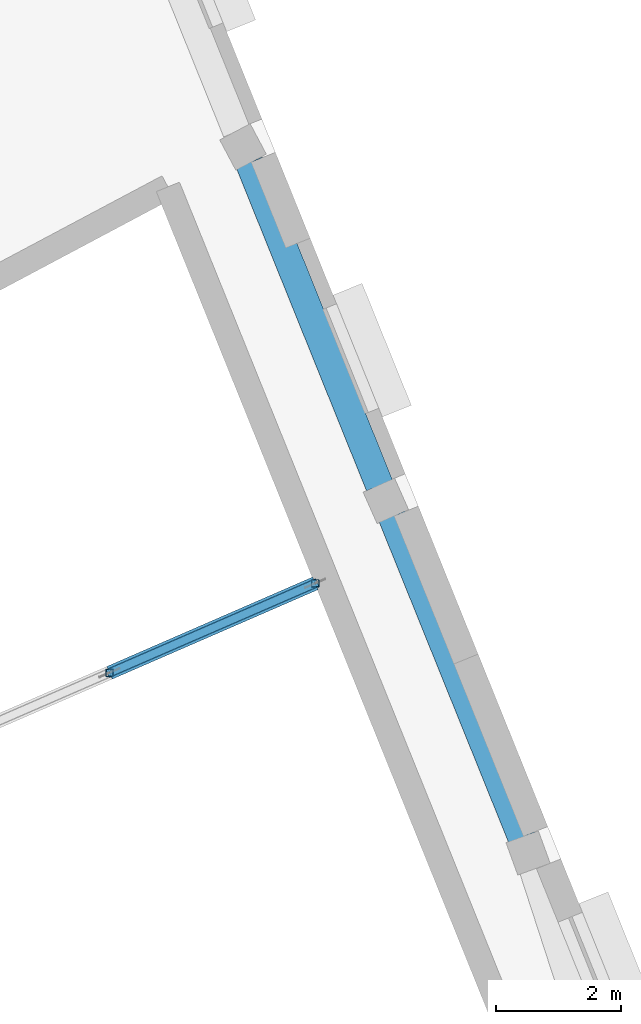
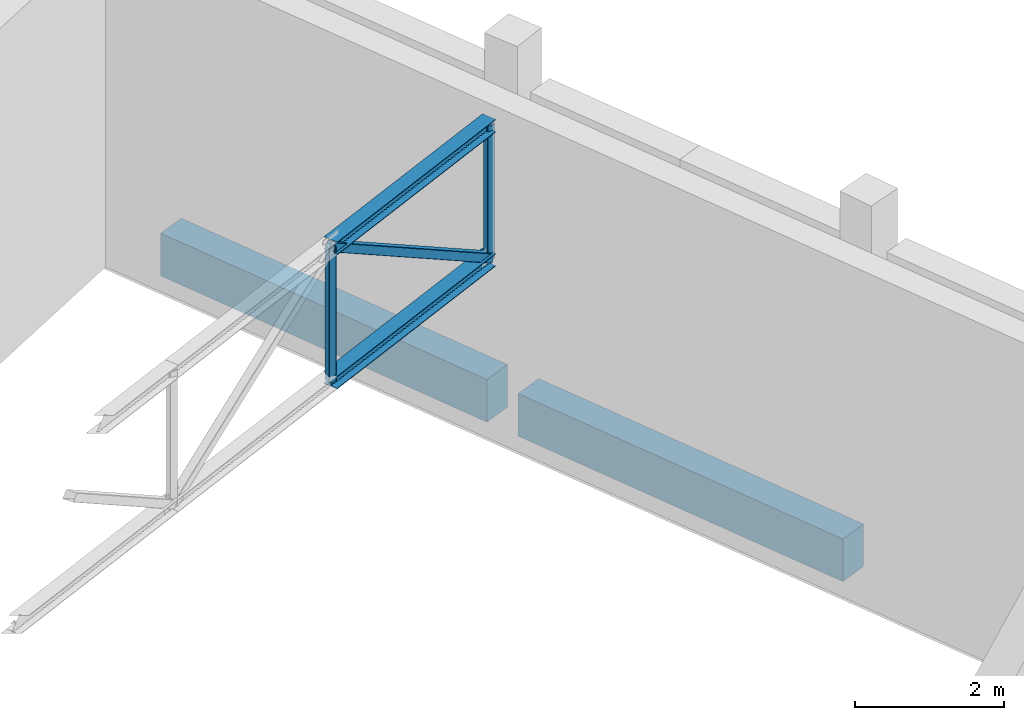
# One storey, part 27 of 112: 5 members, 2 beams.
"""IFC4 building model written with IfcOpenShell, lengths in metres."""

from ifc_helpers import new_model, si_unit, direction, frame, origin, origin_2d, place, context, subcontext, project, spatial, rectangle, hollow_rectangle, i_section, extrude, material, material_profile, profile_set, type_object, element, save


model = new_model("IFC4")

# Units and contexts
model_context = context("Model", 3, precision=1e-05, world=origin(), true_north=direction((0.0, 1.0)))
body_context = subcontext(model_context, "Body", "Model", "MODEL_VIEW")
ifc_project = project(units=[si_unit("LENGTHUNIT", "METRE"), si_unit("AREAUNIT", "SQUARE_METRE"), si_unit("VOLUMEUNIT", "CUBIC_METRE"), si_unit("PLANEANGLEUNIT", "RADIAN"), si_unit("MASSUNIT", "GRAM", prefix="KILO")], contexts=[model_context])

# Site, building, storey
site_placement = place(None, origin())
site = spatial("IfcSite", under=ifc_project, at=site_placement, CompositionType="ELEMENT")
building_placement = place(site_placement, origin())
building = spatial("IfcBuilding", under=site, at=building_placement, Name="Lunette Opera House", CompositionType="ELEMENT")
storey_placement = place(building_placement, frame((0.0, 0.0, 6.0)))
storey = spatial("IfcBuildingStorey", under=building, at=storey_placement, Name="L01", CompositionType="ELEMENT", Elevation=6.0)

# Members
ifc_material_1 = material(Name="Steel S355", Category="steel")
ifc_material_profile_1 = material_profile(ifc_material_1, i_section(OverallWidth=0.219970703125, OverallDepth=0.2099609375, WebThickness=0.007080078125, FlangeThickness=0.010986328125, FilletRadius=0.01806640625, at=origin_2d()), Name="HEA 220")
ifc_profile_set_1 = profile_set([ifc_material_profile_1], Name="Steel S355")
member_type_1 = type_object("IfcMemberType", Name="CHORD HEA 220", PredefinedType="CHORD", material=ifc_profile_set_1)
for number, where, z_axis, x_axis, name in (
    (1, (171.0009765625, 32.611083984375, 5.175048828125), (0.917092795671, 0.398673806674, 0.0), (-0.398673806674, 0.917092795671, 0.0), "mem-SB-L01-SB-TR02-TC6"),
    (2, (171.0009765625, 32.611083984375, 2.97509765625), (0.917092795671, 0.398673806674, 0.0), (-0.398673806674, 0.917092795671, 0.0), "mem-SB-L01-SB-TR02-BC6"),
):
    element("IfcMember", number, at=place(storey_placement, frame(where, z_axis=z_axis, x_axis=x_axis)), inside=storey, type_object=member_type_1, Name=name, PredefinedType="CHORD", context=body_context, shape_type="SweptSolid", body=[
        extrude(i_section(OverallWidth=0.219970703125, OverallDepth=0.2099609375, WebThickness=0.007080078125, FlangeThickness=0.010986328125, FilletRadius=0.01806640625, at=origin_2d()), origin(), (0.0, 0.0, 1.0), 3.584228515625),
    ])
ifc_material_2 = material(Name="Steel S355", Category="steel")
ifc_material_profile_2 = material_profile(ifc_material_2, hollow_rectangle(XDim=0.139892578125, YDim=0.139892578125, WallThickness=0.006103515625, InnerFilletRadius=0.006103515625, OuterFilletRadius=0.011962890625, at=origin_2d()), Name="RHS 140X140X6")
ifc_profile_set_2 = profile_set([ifc_material_profile_2], Name="Steel S355")
member_type_2 = type_object("IfcMemberType", Name="DIAGONAL RHS 140X140X6", PredefinedType="BRACE", material=ifc_profile_set_2)
member_placement = place(storey_placement, frame((171.0009765625, 32.611083984375, 5.175048828125), z_axis=(0.781609261253, 0.339777109783, -0.523104653383), x_axis=(-0.398673806674, 0.917092795671, 0.0)))
element("IfcMember", 3, at=member_placement, inside=storey, type_object=member_type_2, Name="mem-SB-L01-SB-TR02-TD6", PredefinedType="BRACE", context=body_context, shape_type="SweptSolid", body=[
    extrude(hollow_rectangle(XDim=0.139892578125, YDim=0.139892578125, WallThickness=0.006103515625, InnerFilletRadius=0.006103515625, OuterFilletRadius=0.011962890625, at=origin_2d()), origin(), (0.0, 0.0, 1.0), 4.20556640625),
])

# Beams
ifc_material_3 = material(Name="Concrete C35/45", Category="concrete")
ifc_material_profile_3 = material_profile(ifc_material_3, rectangle(XDim=0.449951171875, YDim=0.699951171875, at=origin_2d()), Name="RC BEAM 450X700")
ifc_profile_set_3 = profile_set([ifc_material_profile_3], Name="Concrete C35/45")
beam_type = type_object("IfcBeamType", Name="RC BEAM 450X700", PredefinedType="BEAM", material=ifc_profile_set_3)
beam_1_placement = place(storey_placement, frame((173.23193359375, 40.76611328125, -0.570068359375), z_axis=(0.374141105341, -0.927371788063, 0.0), x_axis=(0.927371788063, 0.374141105341, 0.0)))
element("IfcBeam", 4, at=beam_1_placement, inside=storey, type_object=beam_type, Name="beam-SB-L01-L01-RG22", PredefinedType="BEAM", context=body_context, shape_type="SweptSolid", body=[
    extrude(rectangle(XDim=0.449951171875, YDim=0.699951171875, at=origin_2d()), origin(), (0.0, 0.0, 1.0), 5.5673828125),
])
beam_2_placement = place(storey_placement, frame((175.513916015625, 35.112060546875, -0.570068359375), z_axis=(0.374558549143, -0.927203264265, 0.0), x_axis=(0.927203264265, 0.374558549143, 0.0)))
element("IfcBeam", 5, at=beam_2_placement, inside=storey, type_object=beam_type, Name="beam-SB-L01-L01-RG23", PredefinedType="BEAM", context=body_context, shape_type="SweptSolid", body=[
    extrude(rectangle(XDim=0.449951171875, YDim=0.699951171875, at=origin_2d()), origin(), (0.0, 0.0, 1.0), 5.537109375),
])

# Members
ifc_material_4 = material(Name="Steel S355", Category="steel")
ifc_material_profile_4 = material_profile(ifc_material_4, hollow_rectangle(XDim=0.1201171875, YDim=0.1201171875, WallThickness=0.006103515625, InnerFilletRadius=0.006103515625, OuterFilletRadius=0.011962890625, at=origin_2d()), Name="RHS 120X120X6")
ifc_profile_set_4 = profile_set([ifc_material_profile_4], Name="Steel S355")
member_type_3 = type_object("IfcMemberType", Name="VERTICAL RHS 120X120X6", PredefinedType="POST", material=ifc_profile_set_4)
for number, where, z_axis, x_axis, name in (
    (6, (171.0009765625, 32.611083984375, 2.97509765625), (0.0, 0.0, 1.0), (1.0, 0.0, 0.0), "mem-SB-L01-SB-TR02-TV6"),
    (7, (174.2880859375, 34.0400390625, 2.97509765625), (0.0, 0.0, 1.0), (1.0, 0.0, 0.0), "mem-SB-L01-SB-TR02-TV7"),
):
    element("IfcMember", number, at=place(storey_placement, frame(where, z_axis=z_axis, x_axis=x_axis)), inside=storey, type_object=member_type_3, Name=name, PredefinedType="POST", context=body_context, shape_type="SweptSolid", body=[
        extrude(hollow_rectangle(XDim=0.1201171875, YDim=0.1201171875, WallThickness=0.006103515625, InnerFilletRadius=0.006103515625, OuterFilletRadius=0.011962890625, at=origin_2d()), origin(), (0.0, 0.0, 1.0), 2.199951171875),
    ])

save(model, "model.ifc")
